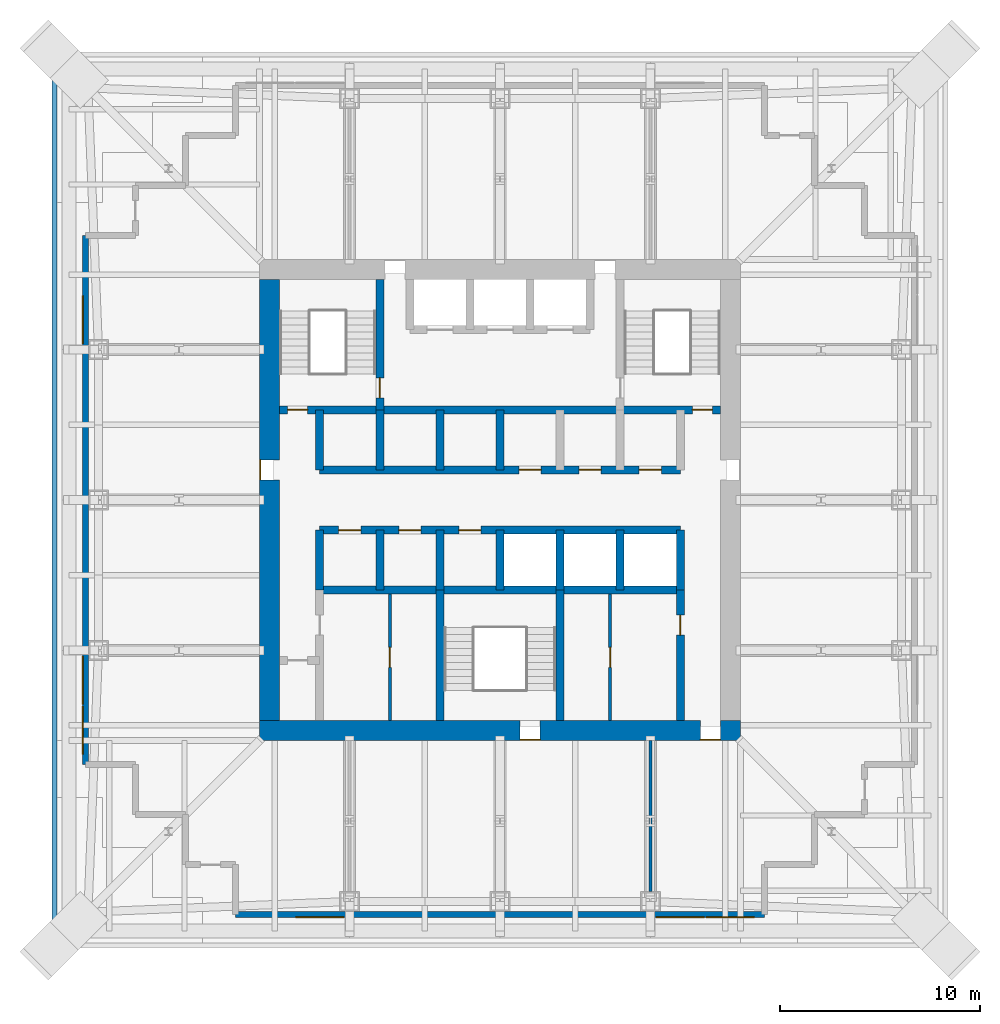
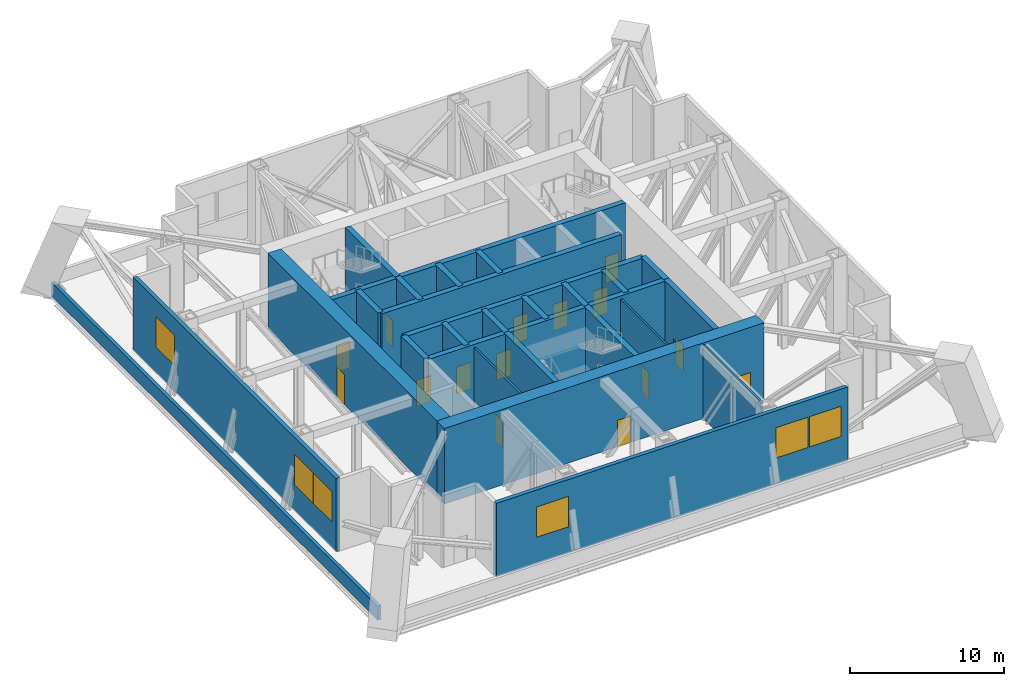
# One storey, part 5 of 9: 27 walls, 15 doors, 6 windows, 21 openings.
"""IFC4 building model written with IfcOpenShell, lengths in metres."""

from ifc_helpers import new_model, si_unit, direction, frame, frame_2d, origin, place, context, subcontext, project, spatial, rectangle, extrude, material, layer, layer_set, type_object, element, fill, save


model = new_model("IFC4")

# Units and contexts
model_context = context("Model", 3, precision=1e-05, world=origin(), true_north=direction((0.0, 1.0)))
body_context = subcontext(model_context, "Body", "Model", "MODEL_VIEW")
ifc_project = project(units=[si_unit("LENGTHUNIT", "METRE"), si_unit("AREAUNIT", "SQUARE_METRE"), si_unit("VOLUMEUNIT", "CUBIC_METRE"), si_unit("PLANEANGLEUNIT", "RADIAN"), si_unit("MASSUNIT", "GRAM", prefix="KILO")], contexts=[model_context])

# Site, building, storey
site_placement = place(None, origin())
site = spatial("IfcSite", under=ifc_project, at=site_placement, CompositionType="ELEMENT")
building_placement = place(site_placement, origin())
building = spatial("IfcBuilding", under=site, at=building_placement, Name="Tarangal Relay Tower", CompositionType="ELEMENT")
storey_placement = place(building_placement, frame((0.0, 0.0, 253.89990234375)))
storey = spatial("IfcBuildingStorey", under=building, at=storey_placement, Name="L55", CompositionType="ELEMENT", Elevation=253.89990234375)

# Wall, openings, doors
ifc_material_1 = material(Name="Concrete fc' 60 MPa", Category="concrete")
ifc_layer_1 = layer(ifc_material_1, 0.39990234375)
ifc_layer_set_1 = layer_set([ifc_layer_1], Name="Core inner wall 400")
wall_type_1 = type_object("IfcWallType", Name="Core inner wall 400", PredefinedType="SHEAR", material=ifc_layer_set_1)
wall_1_placement = place(storey_placement, frame((-11.0, 4.5, 0.0), z_axis=(0.0, 0.0, 1.0), x_axis=(1.0, 0.0, 0.0)))
wall_1 = element("IfcWall", 1, at=wall_1_placement, inside=storey, type_object=wall_type_1, Name="Core wall Y45 L55", PredefinedType="SHEAR", context=body_context, shape_type="SweptSolid", body=[
    extrude(rectangle(XDim=22.0, YDim=0.39990234375, at=frame_2d((11.0, 0.0))), origin(), (0.0, 0.0, 1.0), 6.0),
])
opening_1_placement = place(wall_1_placement, frame((0.39990234375, 0.0, 0.0)))
opening_1 = element("IfcOpeningElement", 2, at=opening_1_placement, cuts=wall_1, Name="Opening FD1", PredefinedType="OPENING", context=body_context, shape_type="SweptSolid", body=[
    extrude(rectangle(XDim=1.0, YDim=2.10009765625, at=frame_2d((0.5, 1.050048828125))), frame((0.0, 0.2099609375, 0.0), z_axis=(0.0, -1.0, 0.0), x_axis=(1.0, 0.0, 0.0)), (0.0, 0.0, 1.0), 0.419921875),
])
opening_2_placement = place(wall_1_placement, frame((20.60009765625, 0.0, 0.0)))
opening_2 = element("IfcOpeningElement", 3, at=opening_2_placement, cuts=wall_1, Name="Opening FD1", PredefinedType="OPENING", context=body_context, shape_type="SweptSolid", body=[
    extrude(rectangle(XDim=1.0, YDim=2.10009765625, at=frame_2d((0.5, 1.050048828125))), frame((0.0, 0.2099609375, 0.0), z_axis=(0.0, -1.0, 0.0), x_axis=(1.0, 0.0, 0.0)), (0.0, 0.0, 1.0), 0.419921875),
])
ifc_material_2 = material(Name="Steel door with hardwood frame", Category="steel")
door_type_1 = type_object("IfcDoorType", Name="Fire door 1000 x 2100", OperationType="SINGLE_SWING_LEFT", PredefinedType="DOOR", material=ifc_material_2)
door_1_placement = place(opening_1_placement, origin())
door_1 = element("IfcDoor", 4, at=door_1_placement, inside=storey, type_object=door_type_1, Name="Stair ST-A door from corridor L55", OperationType="SINGLE_SWING_LEFT", OverallHeight=2.10009765625, OverallWidth=1.0, PredefinedType="DOOR", context=body_context, shape_type="SweptSolid", body=[
    extrude(rectangle(XDim=1.0, YDim=2.10009765625, at=frame_2d((0.5, 1.050048828125))), frame((0.0, 0.02490234375, 0.0), z_axis=(0.0, -1.0, 0.0), x_axis=(1.0, 0.0, 0.0)), (0.0, 0.0, 1.0), 0.050048828125),
])
fill(opening_1, door_1)
door_2_placement = place(opening_2_placement, origin())
door_2 = element("IfcDoor", 5, at=door_2_placement, inside=storey, type_object=door_type_1, Name="Stair ST-B door from corridor L55", OperationType="SINGLE_SWING_LEFT", OverallHeight=2.10009765625, OverallWidth=1.0, PredefinedType="DOOR", context=body_context, shape_type="SweptSolid", body=[
    extrude(rectangle(XDim=1.0, YDim=2.10009765625, at=frame_2d((0.5, 1.050048828125))), frame((0.0, 0.02490234375, 0.0), z_axis=(0.0, -1.0, 0.0), x_axis=(1.0, 0.0, 0.0)), (0.0, 0.0, 1.0), 0.050048828125),
])
fill(opening_2, door_2)

wall_2_placement = place(storey_placement, frame((-9.0, 1.5, 0.0), z_axis=(0.0, 0.0, 1.0), x_axis=(1.0, 0.0, 0.0)))
wall_2 = element("IfcWall", 6, at=wall_2_placement, inside=storey, type_object=wall_type_1, Name="Core wall Y15 L55", PredefinedType="SHEAR", context=body_context, shape_type="SweptSolid", body=[
    extrude(rectangle(XDim=18.0, YDim=0.39990234375, at=frame_2d((9.0, 0.0))), origin(), (0.0, 0.0, 1.0), 6.0),
])
opening_3_placement = place(wall_2_placement, frame((9.949951171875, 0.0, 0.0)))
opening_3 = element("IfcOpeningElement", 7, at=opening_3_placement, cuts=wall_2, Name="Opening D4", PredefinedType="OPENING", context=body_context, shape_type="SweptSolid", body=[
    extrude(rectangle(XDim=1.10009765625, YDim=2.10009765625, at=frame_2d((0.550048828125, 1.050048828125))), frame((0.0, 0.2099609375, 0.0), z_axis=(0.0, -1.0, 0.0), x_axis=(1.0, 0.0, 0.0)), (0.0, 0.0, 1.0), 0.419921875),
])
opening_4_placement = place(wall_2_placement, frame((12.949951171875, 0.0, 0.0)))
opening_4 = element("IfcOpeningElement", 8, at=opening_4_placement, cuts=wall_2, Name="Opening D4", PredefinedType="OPENING", context=body_context, shape_type="SweptSolid", body=[
    extrude(rectangle(XDim=1.10009765625, YDim=2.10009765625, at=frame_2d((0.550048828125, 1.050048828125))), frame((0.0, 0.2099609375, 0.0), z_axis=(0.0, -1.0, 0.0), x_axis=(1.0, 0.0, 0.0)), (0.0, 0.0, 1.0), 0.419921875),
])
opening_5_placement = place(wall_2_placement, frame((15.949951171875, 0.0, 0.0)))
opening_5 = element("IfcOpeningElement", 9, at=opening_5_placement, cuts=wall_2, Name="Opening D4", PredefinedType="OPENING", context=body_context, shape_type="SweptSolid", body=[
    extrude(rectangle(XDim=1.10009765625, YDim=2.10009765625, at=frame_2d((0.550048828125, 1.050048828125))), frame((0.0, 0.2099609375, 0.0), z_axis=(0.0, -1.0, 0.0), x_axis=(1.0, 0.0, 0.0)), (0.0, 0.0, 1.0), 0.419921875),
])
door_type_2 = type_object("IfcDoorType", Name="Core room door 1100 x 2100", OperationType="SINGLE_SWING_RIGHT", PredefinedType="DOOR", material=ifc_material_2)
door_3_placement = place(opening_3_placement, origin())
door_3 = element("IfcDoor", 10, at=door_3_placement, inside=storey, type_object=door_type_2, Name="Door D4 to back-of-house plant room L55-T1", OperationType="SINGLE_SWING_RIGHT", OverallHeight=2.10009765625, OverallWidth=1.10009765625, PredefinedType="DOOR", context=body_context, shape_type="SweptSolid", body=[
    extrude(rectangle(XDim=1.10009765625, YDim=2.10009765625, at=frame_2d((0.550048828125, 1.050048828125))), frame((0.0, 0.02490234375, 0.0), z_axis=(0.0, -1.0, 0.0), x_axis=(1.0, 0.0, 0.0)), (0.0, 0.0, 1.0), 0.050048828125),
])
fill(opening_3, door_3)
door_4_placement = place(opening_4_placement, origin())
door_4 = element("IfcDoor", 11, at=door_4_placement, inside=storey, type_object=door_type_2, Name="Door D4 to back-of-house plant room L55-T2", OperationType="SINGLE_SWING_RIGHT", OverallHeight=2.10009765625, OverallWidth=1.10009765625, PredefinedType="DOOR", context=body_context, shape_type="SweptSolid", body=[
    extrude(rectangle(XDim=1.10009765625, YDim=2.10009765625, at=frame_2d((0.550048828125, 1.050048828125))), frame((0.0, 0.02490234375, 0.0), z_axis=(0.0, -1.0, 0.0), x_axis=(1.0, 0.0, 0.0)), (0.0, 0.0, 1.0), 0.050048828125),
])
fill(opening_4, door_4)
door_5_placement = place(opening_5_placement, origin())
door_5 = element("IfcDoor", 12, at=door_5_placement, inside=storey, type_object=door_type_2, Name="Door D4 to back-of-house plant room L55-T3", OperationType="SINGLE_SWING_RIGHT", OverallHeight=2.10009765625, OverallWidth=1.10009765625, PredefinedType="DOOR", context=body_context, shape_type="SweptSolid", body=[
    extrude(rectangle(XDim=1.10009765625, YDim=2.10009765625, at=frame_2d((0.550048828125, 1.050048828125))), frame((0.0, 0.02490234375, 0.0), z_axis=(0.0, -1.0, 0.0), x_axis=(1.0, 0.0, 0.0)), (0.0, 0.0, 1.0), 0.050048828125),
])
fill(opening_5, door_5)

wall_3_placement = place(storey_placement, frame((-9.0, -1.5, 0.0), z_axis=(0.0, 0.0, 1.0), x_axis=(1.0, 0.0, 0.0)))
wall_3 = element("IfcWall", 13, at=wall_3_placement, inside=storey, type_object=wall_type_1, Name="Core wall YM15 L55", PredefinedType="SHEAR", context=body_context, shape_type="SweptSolid", body=[
    extrude(rectangle(XDim=18.0, YDim=0.39990234375, at=frame_2d((9.0, 0.0))), origin(), (0.0, 0.0, 1.0), 6.0),
])
opening_6_placement = place(wall_3_placement, frame((0.949951171875, 0.0, 0.0)))
opening_6 = element("IfcOpeningElement", 14, at=opening_6_placement, cuts=wall_3, Name="Opening D4", PredefinedType="OPENING", context=body_context, shape_type="SweptSolid", body=[
    extrude(rectangle(XDim=1.10009765625, YDim=2.10009765625, at=frame_2d((0.550048828125, 1.050048828125))), frame((0.0, 0.2099609375, 0.0), z_axis=(0.0, -1.0, 0.0), x_axis=(1.0, 0.0, 0.0)), (0.0, 0.0, 1.0), 0.419921875),
])
opening_7_placement = place(wall_3_placement, frame((3.949951171875, 0.0, 0.0)))
opening_7 = element("IfcOpeningElement", 15, at=opening_7_placement, cuts=wall_3, Name="Opening D4", PredefinedType="OPENING", context=body_context, shape_type="SweptSolid", body=[
    extrude(rectangle(XDim=1.10009765625, YDim=2.10009765625, at=frame_2d((0.550048828125, 1.050048828125))), frame((0.0, 0.2099609375, 0.0), z_axis=(0.0, -1.0, 0.0), x_axis=(1.0, 0.0, 0.0)), (0.0, 0.0, 1.0), 0.419921875),
])
opening_8_placement = place(wall_3_placement, frame((6.949951171875, 0.0, 0.0)))
opening_8 = element("IfcOpeningElement", 16, at=opening_8_placement, cuts=wall_3, Name="Opening D4", PredefinedType="OPENING", context=body_context, shape_type="SweptSolid", body=[
    extrude(rectangle(XDim=1.10009765625, YDim=2.10009765625, at=frame_2d((0.550048828125, 1.050048828125))), frame((0.0, 0.2099609375, 0.0), z_axis=(0.0, -1.0, 0.0), x_axis=(1.0, 0.0, 0.0)), (0.0, 0.0, 1.0), 0.419921875),
])
door_6_placement = place(opening_6_placement, origin())
door_6 = element("IfcDoor", 17, at=door_6_placement, inside=storey, type_object=door_type_2, Name="Door D4 to back-of-house plant room L55-S1", OperationType="SINGLE_SWING_RIGHT", OverallHeight=2.10009765625, OverallWidth=1.10009765625, PredefinedType="DOOR", context=body_context, shape_type="SweptSolid", body=[
    extrude(rectangle(XDim=1.10009765625, YDim=2.10009765625, at=frame_2d((0.550048828125, 1.050048828125))), frame((0.0, 0.02490234375, 0.0), z_axis=(0.0, -1.0, 0.0), x_axis=(1.0, 0.0, 0.0)), (0.0, 0.0, 1.0), 0.050048828125),
])
fill(opening_6, door_6)
door_7_placement = place(opening_7_placement, origin())
door_7 = element("IfcDoor", 18, at=door_7_placement, inside=storey, type_object=door_type_2, Name="Door D4 to back-of-house plant room L55-S2", OperationType="SINGLE_SWING_RIGHT", OverallHeight=2.10009765625, OverallWidth=1.10009765625, PredefinedType="DOOR", context=body_context, shape_type="SweptSolid", body=[
    extrude(rectangle(XDim=1.10009765625, YDim=2.10009765625, at=frame_2d((0.550048828125, 1.050048828125))), frame((0.0, 0.02490234375, 0.0), z_axis=(0.0, -1.0, 0.0), x_axis=(1.0, 0.0, 0.0)), (0.0, 0.0, 1.0), 0.050048828125),
])
fill(opening_7, door_7)
door_8_placement = place(opening_8_placement, origin())
door_8 = element("IfcDoor", 19, at=door_8_placement, inside=storey, type_object=door_type_2, Name="Door D4 to back-of-house plant room L55-S3", OperationType="SINGLE_SWING_RIGHT", OverallHeight=2.10009765625, OverallWidth=1.10009765625, PredefinedType="DOOR", context=body_context, shape_type="SweptSolid", body=[
    extrude(rectangle(XDim=1.10009765625, YDim=2.10009765625, at=frame_2d((0.550048828125, 1.050048828125))), frame((0.0, 0.02490234375, 0.0), z_axis=(0.0, -1.0, 0.0), x_axis=(1.0, 0.0, 0.0)), (0.0, 0.0, 1.0), 0.050048828125),
])
fill(opening_8, door_8)

# Walls
wall_4_placement = place(storey_placement, frame((-9.0, -4.5, 0.0), z_axis=(0.0, 0.0, 1.0), x_axis=(1.0, 0.0, 0.0)))
element("IfcWall", 20, at=wall_4_placement, inside=storey, type_object=wall_type_1, Name="Core wall YM45 L55", PredefinedType="SHEAR", context=body_context, shape_type="SweptSolid", body=[
    extrude(rectangle(XDim=18.0, YDim=0.39990234375, at=frame_2d((9.0, 0.0))), origin(), (0.0, 0.0, 1.0), 6.0),
])
for number, where, z_axis, x_axis, name in (
    (21, (-9.0, 1.5, 0.0), (0.0, 0.0, 1.0), (0.0, 1.0, 0.0), "Core wall XM9N L55"),
    (22, (-9.0, -4.5, 0.0), (0.0, 0.0, 1.0), (0.0, 1.0, 0.0), "Core wall XM9S L55"),
    (23, (9.0, -4.5, 0.0), (0.0, 0.0, 1.0), (0.0, 1.0, 0.0), "Core wall X9S L55"),
    (24, (-6.0, 1.5, 0.0), (0.0, 0.0, 1.0), (0.0, 1.0, 0.0), "Core wall XM6N L55"),
    (25, (-3.0, 1.5, 0.0), (0.0, 0.0, 1.0), (0.0, 1.0, 0.0), "Core wall XM3N L55"),
    (26, (0.0, 1.5, 0.0), (0.0, 0.0, 1.0), (0.0, 1.0, 0.0), "Core wall X0N L55"),
    (27, (-6.0, -4.5, 0.0), (0.0, 0.0, 1.0), (0.0, 1.0, 0.0), "Core wall XM6S L55"),
    (28, (-3.0, -4.5, 0.0), (0.0, 0.0, 1.0), (0.0, 1.0, 0.0), "Core wall XM3S L55"),
    (29, (0.0, -4.5, 0.0), (0.0, 0.0, 1.0), (0.0, 1.0, 0.0), "Core wall X0S L55"),
    (30, (3.0, -4.5, 0.0), (0.0, 0.0, 1.0), (0.0, 1.0, 0.0), "Core wall X3S L55"),
    (31, (6.0, -4.5, 0.0), (0.0, 0.0, 1.0), (0.0, 1.0, 0.0), "Core wall X6S L55"),
):
    element("IfcWall", number, at=place(storey_placement, frame(where, z_axis=z_axis, x_axis=x_axis)), inside=storey, type_object=wall_type_1, Name=name, PredefinedType="SHEAR", context=body_context, shape_type="SweptSolid", body=[
        extrude(rectangle(XDim=3.0, YDim=0.39990234375, at=frame_2d((1.5, 0.0))), origin(), (0.0, 0.0, 1.0), 6.0),
    ])

# Wall, opening, door
wall_5_placement = place(storey_placement, frame((-6.0, 4.5, 0.0), z_axis=(0.0, 0.0, 1.0), x_axis=(0.0, 1.0, 0.0)))
wall_5 = element("IfcWall", 32, at=wall_5_placement, inside=storey, type_object=wall_type_1, Name="Core wall XM6 L55", PredefinedType="SHEAR", context=body_context, shape_type="SweptSolid", body=[
    extrude(rectangle(XDim=6.5, YDim=0.39990234375, at=frame_2d((3.25, 0.0))), origin(), (0.0, 0.0, 1.0), 6.0),
])
opening_9_placement = place(wall_5_placement, frame((0.60009765625, 0.0, 0.0)))
opening_9 = element("IfcOpeningElement", 33, at=opening_9_placement, cuts=wall_5, Name="Opening FD1", PredefinedType="OPENING", context=body_context, shape_type="SweptSolid", body=[
    extrude(rectangle(XDim=1.0, YDim=2.10009765625, at=frame_2d((0.5, 1.050048828125))), frame((0.0, 0.2099609375, 0.0), z_axis=(0.0, -1.0, 0.0), x_axis=(1.0, 0.0, 0.0)), (0.0, 0.0, 1.0), 0.419921875),
])
door_9_placement = place(opening_9_placement, origin())
door_9 = element("IfcDoor", 34, at=door_9_placement, inside=storey, type_object=door_type_1, Name="Stair ST-A door from fire-fighting lobby L55", OperationType="SINGLE_SWING_LEFT", OverallHeight=2.10009765625, OverallWidth=1.0, PredefinedType="DOOR", context=body_context, shape_type="SweptSolid", body=[
    extrude(rectangle(XDim=1.0, YDim=2.10009765625, at=frame_2d((0.5, 1.050048828125))), frame((0.0, 0.02490234375, 0.0), z_axis=(0.0, -1.0, 0.0), x_axis=(1.0, 0.0, 0.0)), (0.0, 0.0, 1.0), 0.050048828125),
])
fill(opening_9, door_9)

wall_6_placement = place(storey_placement, frame((9.0, -11.0, 0.0), z_axis=(0.0, 0.0, 1.0), x_axis=(0.0, 1.0, 0.0)))
wall_6 = element("IfcWall", 35, at=wall_6_placement, inside=storey, type_object=wall_type_1, Name="Core wall X9W L55", PredefinedType="SHEAR", context=body_context, shape_type="SweptSolid", body=[
    extrude(rectangle(XDim=6.5, YDim=0.39990234375, at=frame_2d((3.25, 0.0))), origin(), (0.0, 0.0, 1.0), 6.0),
])
opening_10_placement = place(wall_6_placement, frame((4.25, 0.0, 0.0)))
opening_10 = element("IfcOpeningElement", 36, at=opening_10_placement, cuts=wall_6, Name="Opening D1", PredefinedType="OPENING", context=body_context, shape_type="SweptSolid", body=[
    extrude(rectangle(XDim=1.0, YDim=2.10009765625, at=frame_2d((0.5, 1.050048828125))), frame((0.0, 0.2099609375, 0.0), z_axis=(0.0, -1.0, 0.0), x_axis=(1.0, 0.0, 0.0)), (0.0, 0.0, 1.0), 0.419921875),
])
ifc_material_3 = material(Name="Hardwood door", Category="wood")
door_type_3 = type_object("IfcDoorType", Name="WC door 1000 x 2100", OperationType="SINGLE_SWING_LEFT", PredefinedType="DOOR", material=ifc_material_3)
door_10_placement = place(opening_10_placement, origin())
door_10 = element("IfcDoor", 37, at=door_10_placement, inside=storey, type_object=door_type_3, Name="Female WC door L55", OperationType="SINGLE_SWING_LEFT", OverallHeight=2.10009765625, OverallWidth=1.0, PredefinedType="DOOR", context=body_context, shape_type="SweptSolid", body=[
    extrude(rectangle(XDim=1.0, YDim=2.10009765625, at=frame_2d((0.5, 1.050048828125))), frame((0.0, 0.02490234375, 0.0), z_axis=(0.0, -1.0, 0.0), x_axis=(1.0, 0.0, 0.0)), (0.0, 0.0, 1.0), 0.050048828125),
])
fill(opening_10, door_10)

# Walls
for number, where, z_axis, x_axis, name in (
    (38, (-3.0, -11.0, 0.0), (0.0, 0.0, 1.0), (0.0, 1.0, 0.0), "Core wall XM3W L55"),
    (39, (3.0, -11.0, 0.0), (0.0, 0.0, 1.0), (0.0, 1.0, 0.0), "Core wall X3W L55"),
):
    element("IfcWall", number, at=place(storey_placement, frame(where, z_axis=z_axis, x_axis=x_axis)), inside=storey, type_object=wall_type_1, Name=name, PredefinedType="SHEAR", context=body_context, shape_type="SweptSolid", body=[
        extrude(rectangle(XDim=6.5, YDim=0.39990234375, at=frame_2d((3.25, 0.0))), origin(), (0.0, 0.0, 1.0), 6.0),
    ])

# Wall, openings, doors
ifc_layer_2 = layer(ifc_material_1, 1.0)
ifc_layer_set_2 = layer_set([ifc_layer_2], Name="Core wall 1000")
wall_type_2 = type_object("IfcWallType", Name="Core wall 1000", PredefinedType="SHEAR", material=ifc_layer_set_2)
wall_7_placement = place(storey_placement, frame((12.0, -11.5, 0.0), z_axis=(0.0, 0.0, 1.0), x_axis=(-1.0, 0.0, 0.0)))
wall_7 = element("IfcWall", 40, at=wall_7_placement, inside=storey, type_object=wall_type_2, Name="Core wall S L55", PredefinedType="SHEAR", context=body_context, shape_type="SweptSolid", body=[
    extrude(rectangle(XDim=24.0, YDim=1.0, at=frame_2d((12.0, 0.0))), origin(), (0.0, 0.0, 1.0), 6.0),
])
opening_11_placement = place(wall_7_placement, frame((10.0, 0.0, 0.0)))
opening_11 = element("IfcOpeningElement", 41, at=opening_11_placement, cuts=wall_7, Name="Opening FD1", PredefinedType="OPENING", context=body_context, shape_type="SweptSolid", body=[
    extrude(rectangle(XDim=1.0, YDim=2.10009765625, at=frame_2d((0.5, 1.050048828125))), frame((0.0, 0.510009765625, 0.0), z_axis=(0.0, -1.0, 0.0), x_axis=(1.0, 0.0, 0.0)), (0.0, 0.0, 1.0), 1.02001953125),
])
opening_12_placement = place(wall_7_placement, frame((1.0, 0.0, 0.0)))
opening_12 = element("IfcOpeningElement", 42, at=opening_12_placement, cuts=wall_7, Name="Opening FD3", PredefinedType="OPENING", context=body_context, shape_type="SweptSolid", body=[
    extrude(rectangle(XDim=1.0, YDim=2.39990234375, at=frame_2d((0.5, 1.199951171875))), frame((0.0, 0.510009765625, 0.0), z_axis=(0.0, -1.0, 0.0), x_axis=(1.0, 0.0, 0.0)), (0.0, 0.0, 1.0), 1.02001953125),
])
door_11_placement = place(opening_11_placement, origin())
door_11 = element("IfcDoor", 43, at=door_11_placement, inside=storey, type_object=door_type_1, Name="Stair ST-C door L55", OperationType="SINGLE_SWING_LEFT", OverallHeight=2.10009765625, OverallWidth=1.0, PredefinedType="DOOR", context=body_context, shape_type="SweptSolid", body=[
    extrude(rectangle(XDim=1.0, YDim=2.10009765625, at=frame_2d((0.5, 1.050048828125))), frame((0.0, 0.48486328125, 0.0), z_axis=(0.0, -1.0, 0.0), x_axis=(1.0, 0.0, 0.0)), (0.0, 0.0, 1.0), 0.050048828125),
])
fill(opening_11, door_11)
door_type_4 = type_object("IfcDoorType", Name="Fire door 1000 x 2400 core entry", OperationType="SINGLE_SWING_RIGHT", PredefinedType="DOOR", material=ifc_material_2)
door_12_placement = place(opening_12_placement, origin())
door_12 = element("IfcDoor", 44, at=door_12_placement, inside=storey, type_object=door_type_4, Name="Core entry door south east L55", OperationType="SINGLE_SWING_RIGHT", OverallHeight=2.39990234375, OverallWidth=1.0, PredefinedType="DOOR", context=body_context, shape_type="SweptSolid", body=[
    extrude(rectangle(XDim=1.0, YDim=2.39990234375, at=frame_2d((0.5, 1.199951171875))), frame((0.0, 0.48486328125, 0.0), z_axis=(0.0, -1.0, 0.0), x_axis=(1.0, 0.0, 0.0)), (0.0, 0.0, 1.0), 0.050048828125),
])
fill(opening_12, door_12)

# Wall, opening, door
wall_8_placement = place(storey_placement, frame((-11.5, -11.0, 0.0), z_axis=(0.0, 0.0, 1.0), x_axis=(0.0, 1.0, 0.0)))
wall_8 = element("IfcWall", 45, at=wall_8_placement, inside=storey, type_object=wall_type_2, Name="Core wall W L55", PredefinedType="SHEAR", context=body_context, shape_type="SweptSolid", body=[
    extrude(rectangle(XDim=22.0, YDim=1.0, at=frame_2d((11.0, 0.0))), origin(), (0.0, 0.0, 1.0), 6.0),
])
opening_13_placement = place(wall_8_placement, frame((12.0, 0.0, 0.0)))
opening_13 = element("IfcOpeningElement", 46, at=opening_13_placement, cuts=wall_8, Name="Opening FD3", PredefinedType="OPENING", context=body_context, shape_type="SweptSolid", body=[
    extrude(rectangle(XDim=1.0, YDim=2.39990234375, at=frame_2d((0.5, 1.199951171875))), frame((0.0, 0.510009765625, 0.0), z_axis=(0.0, -1.0, 0.0), x_axis=(1.0, 0.0, 0.0)), (0.0, 0.0, 1.0), 1.02001953125),
])
door_13_placement = place(opening_13_placement, origin())
door_13 = element("IfcDoor", 47, at=door_13_placement, inside=storey, type_object=door_type_4, Name="Core entry door west L55", OperationType="SINGLE_SWING_RIGHT", OverallHeight=2.39990234375, OverallWidth=1.0, PredefinedType="DOOR", context=body_context, shape_type="SweptSolid", body=[
    extrude(rectangle(XDim=1.0, YDim=2.39990234375, at=frame_2d((0.5, 1.199951171875))), frame((0.0, 0.48486328125, 0.0), z_axis=(0.0, -1.0, 0.0), x_axis=(1.0, 0.0, 0.0)), (0.0, 0.0, 1.0), 0.050048828125),
])
fill(opening_13, door_13)

# Wall, openings, windows
ifc_material_4 = material(Name="Insulated precast concrete fc' 40 MPa", Category="concrete")
ifc_layer_3 = layer(ifc_material_4, 0.300048828125)
ifc_layer_set_3 = layer_set([ifc_layer_3], Name="Insulated precast concrete fc' 40 MPa")
wall_type_3 = type_object("IfcWallType", Name="Facade wall precast 300", PredefinedType="SOLIDWALL", material=ifc_layer_set_3)
wall_9_placement = place(storey_placement, frame((13.199951171875, -20.699951171875, 0.0), z_axis=(0.0, 0.0, 1.0), x_axis=(-1.0, 0.0, 0.0)))
wall_9 = element("IfcWall", 48, at=wall_9_placement, inside=storey, type_object=wall_type_3, Name="Facade wall S facade L55", PredefinedType="SOLIDWALL", context=body_context, shape_type="SweptSolid", body=[
    extrude(rectangle(XDim=26.39990234375, YDim=0.300048828125, at=frame_2d((13.199951171875, 0.0))), origin(), (0.0, 0.0, 1.0), 5.85009765625),
])
opening_14_placement = place(wall_9_placement, frame((0.5, 0.0, 2.10009765625)))
opening_14 = element("IfcOpeningElement", 49, at=opening_14_placement, cuts=wall_9, Name="Opening LV1", PredefinedType="OPENING", context=body_context, shape_type="SweptSolid", body=[
    extrude(rectangle(XDim=2.39990234375, YDim=2.39990234375, at=frame_2d((1.199951171875, 1.199951171875))), frame((0.0, 0.159912109375, 0.0), z_axis=(0.0, -1.0, 0.0), x_axis=(1.0, 0.0, 0.0)), (0.0, 0.0, 1.0), 0.320068359375),
])
opening_15_placement = place(wall_9_placement, frame((3.0, 0.0, 2.10009765625)))
opening_15 = element("IfcOpeningElement", 50, at=opening_15_placement, cuts=wall_9, Name="Opening LV1", PredefinedType="OPENING", context=body_context, shape_type="SweptSolid", body=[
    extrude(rectangle(XDim=2.39990234375, YDim=2.39990234375, at=frame_2d((1.199951171875, 1.199951171875))), frame((0.0, 0.159912109375, 0.0), z_axis=(0.0, -1.0, 0.0), x_axis=(1.0, 0.0, 0.0)), (0.0, 0.0, 1.0), 0.320068359375),
])
opening_16_placement = place(wall_9_placement, frame((21.0, 0.0, 2.10009765625)))
opening_16 = element("IfcOpeningElement", 51, at=opening_16_placement, cuts=wall_9, Name="Opening LV1", PredefinedType="OPENING", context=body_context, shape_type="SweptSolid", body=[
    extrude(rectangle(XDim=2.39990234375, YDim=2.39990234375, at=frame_2d((1.199951171875, 1.199951171875))), frame((0.0, 0.159912109375, 0.0), z_axis=(0.0, -1.0, 0.0), x_axis=(1.0, 0.0, 0.0)), (0.0, 0.0, 1.0), 0.320068359375),
])
ifc_material_5 = material(Name="Black aluminium weather louvre", Category="aluminium")
window_type = type_object("IfcWindowType", Name="Louvre 2400 x 2400", PartitioningType="SINGLE_PANEL", PredefinedType="WINDOW", material=ifc_material_5)
window_1_placement = place(opening_14_placement, origin())
window_1 = element("IfcWindow", 52, at=window_1_placement, inside=storey, type_object=window_type, Name="Louvre LV1 S facade L55", OverallHeight=2.39990234375, OverallWidth=2.39990234375, PartitioningType="SINGLE_PANEL", PredefinedType="WINDOW", context=body_context, shape_type="SweptSolid", body=[
    extrude(rectangle(XDim=2.39990234375, YDim=2.39990234375, at=frame_2d((1.199951171875, 1.199951171875))), frame((0.0, 0.150146484375, 0.0), z_axis=(0.0, -1.0, 0.0), x_axis=(1.0, 0.0, 0.0)), (0.0, 0.0, 1.0), 0.06005859375),
])
fill(opening_14, window_1)
window_2_placement = place(opening_15_placement, origin())
window_2 = element("IfcWindow", 53, at=window_2_placement, inside=storey, type_object=window_type, Name="Louvre LV1 S facade L55", OverallHeight=2.39990234375, OverallWidth=2.39990234375, PartitioningType="SINGLE_PANEL", PredefinedType="WINDOW", context=body_context, shape_type="SweptSolid", body=[
    extrude(rectangle(XDim=2.39990234375, YDim=2.39990234375, at=frame_2d((1.199951171875, 1.199951171875))), frame((0.0, 0.150146484375, 0.0), z_axis=(0.0, -1.0, 0.0), x_axis=(1.0, 0.0, 0.0)), (0.0, 0.0, 1.0), 0.06005859375),
])
fill(opening_15, window_2)
window_3_placement = place(opening_16_placement, origin())
window_3 = element("IfcWindow", 54, at=window_3_placement, inside=storey, type_object=window_type, Name="Louvre LV1 S facade L55", OverallHeight=2.39990234375, OverallWidth=2.39990234375, PartitioningType="SINGLE_PANEL", PredefinedType="WINDOW", context=body_context, shape_type="SweptSolid", body=[
    extrude(rectangle(XDim=2.39990234375, YDim=2.39990234375, at=frame_2d((1.199951171875, 1.199951171875))), frame((0.0, 0.150146484375, 0.0), z_axis=(0.0, -1.0, 0.0), x_axis=(1.0, 0.0, 0.0)), (0.0, 0.0, 1.0), 0.06005859375),
])
fill(opening_16, window_3)

wall_10_placement = place(storey_placement, frame((-20.699951171875, -13.199951171875, 0.0), z_axis=(0.0, 0.0, 1.0), x_axis=(0.0, 1.0, 0.0)))
wall_10 = element("IfcWall", 55, at=wall_10_placement, inside=storey, type_object=wall_type_3, Name="Facade wall W facade L55", PredefinedType="SOLIDWALL", context=body_context, shape_type="SweptSolid", body=[
    extrude(rectangle(XDim=26.39990234375, YDim=0.300048828125, at=frame_2d((13.199951171875, 0.0))), origin(), (0.0, 0.0, 1.0), 5.85009765625),
])
opening_17_placement = place(wall_10_placement, frame((0.5, 0.0, 2.10009765625)))
opening_17 = element("IfcOpeningElement", 56, at=opening_17_placement, cuts=wall_10, Name="Opening LV1", PredefinedType="OPENING", context=body_context, shape_type="SweptSolid", body=[
    extrude(rectangle(XDim=2.39990234375, YDim=2.39990234375, at=frame_2d((1.199951171875, 1.199951171875))), frame((0.0, 0.159912109375, 0.0), z_axis=(0.0, -1.0, 0.0), x_axis=(1.0, 0.0, 0.0)), (0.0, 0.0, 1.0), 0.320068359375),
])
opening_18_placement = place(wall_10_placement, frame((3.0, 0.0, 2.10009765625)))
opening_18 = element("IfcOpeningElement", 57, at=opening_18_placement, cuts=wall_10, Name="Opening LV1", PredefinedType="OPENING", context=body_context, shape_type="SweptSolid", body=[
    extrude(rectangle(XDim=2.39990234375, YDim=2.39990234375, at=frame_2d((1.199951171875, 1.199951171875))), frame((0.0, 0.159912109375, 0.0), z_axis=(0.0, -1.0, 0.0), x_axis=(1.0, 0.0, 0.0)), (0.0, 0.0, 1.0), 0.320068359375),
])
opening_19_placement = place(wall_10_placement, frame((21.0, 0.0, 2.10009765625)))
opening_19 = element("IfcOpeningElement", 58, at=opening_19_placement, cuts=wall_10, Name="Opening LV1", PredefinedType="OPENING", context=body_context, shape_type="SweptSolid", body=[
    extrude(rectangle(XDim=2.39990234375, YDim=2.39990234375, at=frame_2d((1.199951171875, 1.199951171875))), frame((0.0, 0.159912109375, 0.0), z_axis=(0.0, -1.0, 0.0), x_axis=(1.0, 0.0, 0.0)), (0.0, 0.0, 1.0), 0.320068359375),
])
window_4_placement = place(opening_17_placement, origin())
window_4 = element("IfcWindow", 59, at=window_4_placement, inside=storey, type_object=window_type, Name="Louvre LV1 W facade L55", OverallHeight=2.39990234375, OverallWidth=2.39990234375, PartitioningType="SINGLE_PANEL", PredefinedType="WINDOW", context=body_context, shape_type="SweptSolid", body=[
    extrude(rectangle(XDim=2.39990234375, YDim=2.39990234375, at=frame_2d((1.199951171875, 1.199951171875))), frame((0.0, 0.150146484375, 0.0), z_axis=(0.0, -1.0, 0.0), x_axis=(1.0, 0.0, 0.0)), (0.0, 0.0, 1.0), 0.06005859375),
])
fill(opening_17, window_4)
window_5_placement = place(opening_18_placement, origin())
window_5 = element("IfcWindow", 60, at=window_5_placement, inside=storey, type_object=window_type, Name="Louvre LV1 W facade L55", OverallHeight=2.39990234375, OverallWidth=2.39990234375, PartitioningType="SINGLE_PANEL", PredefinedType="WINDOW", context=body_context, shape_type="SweptSolid", body=[
    extrude(rectangle(XDim=2.39990234375, YDim=2.39990234375, at=frame_2d((1.199951171875, 1.199951171875))), frame((0.0, 0.150146484375, 0.0), z_axis=(0.0, -1.0, 0.0), x_axis=(1.0, 0.0, 0.0)), (0.0, 0.0, 1.0), 0.06005859375),
])
fill(opening_18, window_5)
window_6_placement = place(opening_19_placement, origin())
window_6 = element("IfcWindow", 61, at=window_6_placement, inside=storey, type_object=window_type, Name="Louvre LV1 W facade L55", OverallHeight=2.39990234375, OverallWidth=2.39990234375, PartitioningType="SINGLE_PANEL", PredefinedType="WINDOW", context=body_context, shape_type="SweptSolid", body=[
    extrude(rectangle(XDim=2.39990234375, YDim=2.39990234375, at=frame_2d((1.199951171875, 1.199951171875))), frame((0.0, 0.150146484375, 0.0), z_axis=(0.0, -1.0, 0.0), x_axis=(1.0, 0.0, 0.0)), (0.0, 0.0, 1.0), 0.06005859375),
])
fill(opening_19, window_6)

# Walls
ifc_material_6 = material(Name="Concrete parapet with metal coping", Category="concrete")
ifc_layer_4 = layer(ifc_material_6, 0.25)
ifc_layer_set_4 = layer_set([ifc_layer_4], Name="Parapet 250")
wall_type_4 = type_object("IfcWallType", Name="Parapet 250", PredefinedType="PARAPET", material=ifc_layer_set_4)
wall_11_placement = place(storey_placement, frame((-22.22509765625, -21.25, 0.0), z_axis=(0.0, 0.0, 1.0), x_axis=(0.0, 1.0, 0.0)))
element("IfcWall", 62, at=wall_11_placement, inside=storey, type_object=wall_type_4, Name="Ledge parapet PP1 L55", PredefinedType="PARAPET", context=body_context, shape_type="SweptSolid", body=[
    extrude(rectangle(XDim=42.5, YDim=0.25, at=frame_2d((21.25, 0.0))), origin(), (0.0, 0.0, 1.0), 1.10009765625),
])
ifc_material_7 = material(Name="Gypsum board on steel studs", Category="steel")
ifc_layer_5 = layer(ifc_material_7, 0.14990234375)
ifc_layer_set_5 = layer_set([ifc_layer_5], Name="Partition 150")
wall_type_5 = type_object("IfcWallType", Name="Partition 150", PredefinedType="PARTITIONING", material=ifc_layer_set_5)
wall_12_placement = place(storey_placement, frame((7.5, -12.0, 0.0), z_axis=(0.0, 0.0, 1.0), x_axis=(0.0, -1.0, 0.0)))
element("IfcWall", 63, at=wall_12_placement, inside=storey, type_object=wall_type_5, Name="Partition PT1 L55", PredefinedType="PARTITIONING", context=body_context, shape_type="SweptSolid", body=[
    extrude(rectangle(XDim=7.5400390625, YDim=0.14990234375, at=frame_2d((3.77001953125, 0.0))), origin(), (0.0, 0.0, 1.0), 5.85009765625),
])

# Wall, opening, door
wall_13_placement = place(storey_placement, frame((-5.5, -11.0, 0.0), z_axis=(0.0, 0.0, 1.0), x_axis=(0.0, 1.0, 0.0)))
wall_13 = element("IfcWall", 64, at=wall_13_placement, inside=storey, type_object=wall_type_5, Name="Partition PT1 L55", PredefinedType="PARTITIONING", context=body_context, shape_type="SweptSolid", body=[
    extrude(rectangle(XDim=6.300048828125, YDim=0.14990234375, at=frame_2d((3.14990234375, 0.0))), origin(), (0.0, 0.0, 1.0), 5.75),
])
opening_20_placement = place(wall_13_placement, frame((2.64990234375, 0.0, 0.0)))
opening_20 = element("IfcOpeningElement", 65, at=opening_20_placement, cuts=wall_13, Name="Opening D1", PredefinedType="OPENING", context=body_context, shape_type="SweptSolid", body=[
    extrude(rectangle(XDim=1.0, YDim=2.10009765625, at=frame_2d((0.5, 1.050048828125))), frame((0.0, 0.0849609375, 0.0), z_axis=(0.0, -1.0, 0.0), x_axis=(1.0, 0.0, 0.0)), (0.0, 0.0, 1.0), 0.169921875),
])
door_14_placement = place(opening_20_placement, origin())
door_14 = element("IfcDoor", 66, at=door_14_placement, inside=storey, type_object=door_type_3, Name="Door D1 to male shower and changing room L55-C7B", OperationType="SINGLE_SWING_LEFT", OverallHeight=2.10009765625, OverallWidth=1.0, PredefinedType="DOOR", context=body_context, shape_type="SweptSolid", body=[
    extrude(rectangle(XDim=1.0, YDim=2.10009765625, at=frame_2d((0.5, 1.050048828125))), frame((0.0, 0.02490234375, 0.0), z_axis=(0.0, -1.0, 0.0), x_axis=(1.0, 0.0, 0.0)), (0.0, 0.0, 1.0), 0.050048828125),
])
fill(opening_20, door_14)

wall_14_placement = place(storey_placement, frame((5.5, -11.0, 0.0), z_axis=(0.0, 0.0, 1.0), x_axis=(0.0, 1.0, 0.0)))
wall_14 = element("IfcWall", 67, at=wall_14_placement, inside=storey, type_object=wall_type_5, Name="Partition PT1 L55", PredefinedType="PARTITIONING", context=body_context, shape_type="SweptSolid", body=[
    extrude(rectangle(XDim=6.300048828125, YDim=0.14990234375, at=frame_2d((3.14990234375, 0.0))), origin(), (0.0, 0.0, 1.0), 5.75),
])
opening_21_placement = place(wall_14_placement, frame((2.64990234375, 0.0, 0.0)))
opening_21 = element("IfcOpeningElement", 68, at=opening_21_placement, cuts=wall_14, Name="Opening D1", PredefinedType="OPENING", context=body_context, shape_type="SweptSolid", body=[
    extrude(rectangle(XDim=1.0, YDim=2.10009765625, at=frame_2d((0.5, 1.050048828125))), frame((0.0, 0.0849609375, 0.0), z_axis=(0.0, -1.0, 0.0), x_axis=(1.0, 0.0, 0.0)), (0.0, 0.0, 1.0), 0.169921875),
])
door_15_placement = place(opening_21_placement, origin())
door_15 = element("IfcDoor", 69, at=door_15_placement, inside=storey, type_object=door_type_3, Name="Door D1 to female shower and changing room L55-C10B", OperationType="SINGLE_SWING_LEFT", OverallHeight=2.10009765625, OverallWidth=1.0, PredefinedType="DOOR", context=body_context, shape_type="SweptSolid", body=[
    extrude(rectangle(XDim=1.0, YDim=2.10009765625, at=frame_2d((0.5, 1.050048828125))), frame((0.0, 0.02490234375, 0.0), z_axis=(0.0, -1.0, 0.0), x_axis=(1.0, 0.0, 0.0)), (0.0, 0.0, 1.0), 0.050048828125),
])
fill(opening_21, door_15)

save(model, "model.ifc")
